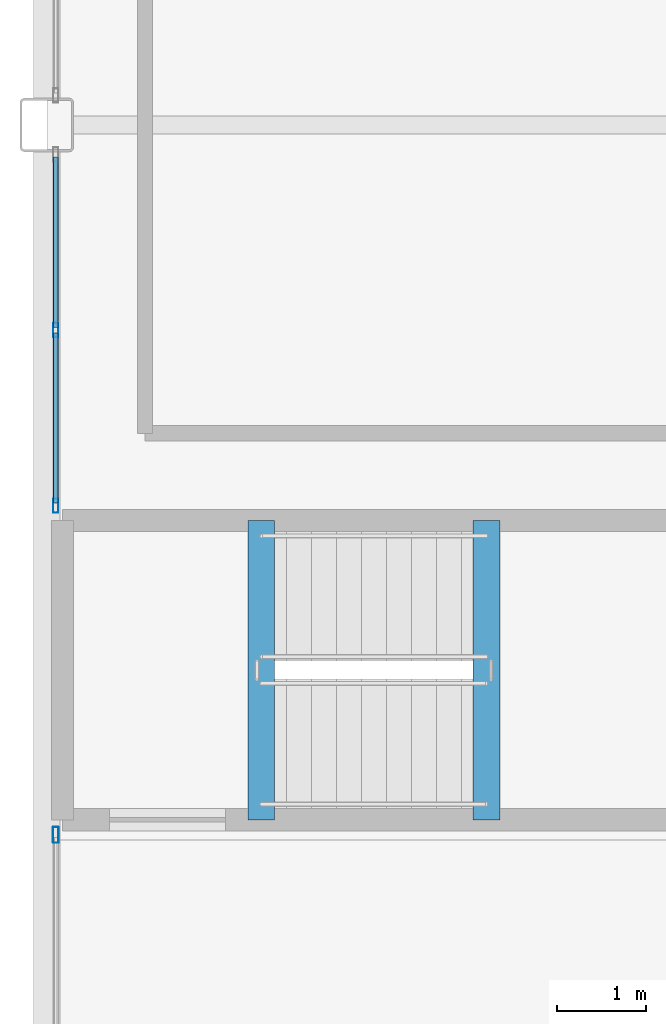
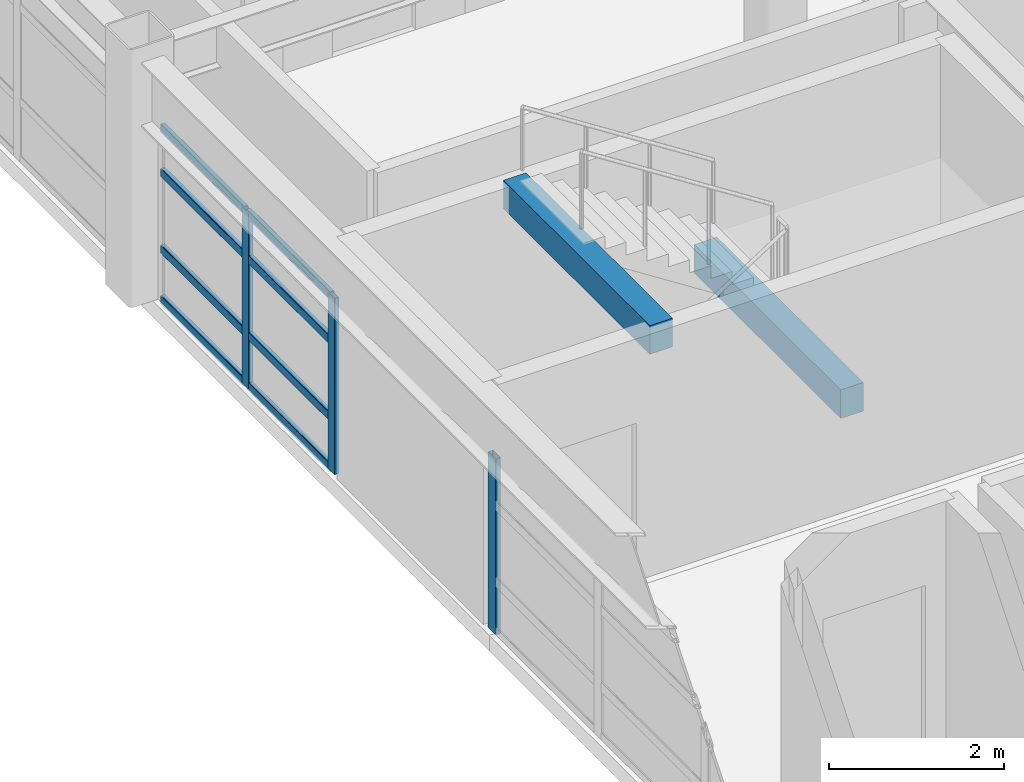
# One storey, part 14 of 36: 11 members, 2 beams, 2 elements without a shape of their own.
"""IFC4 building model written with IfcOpenShell, lengths in metres."""

from ifc_helpers import new_model, si_unit, direction, frame, origin, origin_2d, place, context, subcontext, project, spatial, rectangle, hollow_rectangle, extrude, material, layer, layer_set, material_profile, profile_set, type_object, element, aggregate, save


model = new_model("IFC4")

# Units and contexts
model_context = context("Model", 3, precision=1e-05, world=origin(), true_north=direction((0.0, 1.0)))
body_context = subcontext(model_context, "Body", "Model", "MODEL_VIEW")
ifc_project = project(units=[si_unit("LENGTHUNIT", "METRE"), si_unit("AREAUNIT", "SQUARE_METRE"), si_unit("VOLUMEUNIT", "CUBIC_METRE"), si_unit("PLANEANGLEUNIT", "RADIAN"), si_unit("MASSUNIT", "GRAM", prefix="KILO")], contexts=[model_context])

# Site, building, storey
site_placement = place(None, origin())
site = spatial("IfcSite", under=ifc_project, at=site_placement, CompositionType="ELEMENT")
building_placement = place(site_placement, origin())
building = spatial("IfcBuilding", under=site, at=building_placement, Name="Kazehara Bluff Congress Hotel", CompositionType="ELEMENT")
storey_placement = place(building_placement, frame((0.0, 0.0, 31.800048828125)))
storey = spatial("IfcBuildingStorey", under=building, at=storey_placement, Name="L07", CompositionType="ELEMENT", Elevation=31.800048828125)

# Curtain wall, members
ifc_material_1 = material(Name="Anodised aluminium", Category="aluminium")
ifc_layer_1 = layer(ifc_material_1, 0.159912109375)
ifc_layer_set_1 = layer_set([ifc_layer_1], Name="Anodised aluminium")
curtain_wall_type_1 = type_object("IfcCurtainWallType", Name="TP-CW-178", PredefinedType="NOTDEFINED", material=ifc_layer_set_1)
curtain_wall_1_placement = place(storey_placement, origin())
curtain_wall_1 = element("IfcCurtainWall", 1, at=curtain_wall_1_placement, inside=storey, type_object=curtain_wall_type_1, Name="L07 curtain wall CW-178 CW-ENC-V5-L07-14380-5416", PredefinedType="NOTDEFINED")
ifc_material_2 = material(Name="Anodised aluminium", Category="aluminium")
ifc_material_profile_1 = material_profile(ifc_material_2, hollow_rectangle(XDim=0.06005859375, YDim=0.159912109375, WallThickness=0.00390625, InnerFilletRadius=0.00390625, OuterFilletRadius=0.008056640625, at=origin_2d()))
ifc_profile_set_1 = profile_set([ifc_material_profile_1], Name="Anodised aluminium")
member_type_1 = type_object("IfcMemberType", Name="TP-CWM-01", PredefinedType="MULLION", material=ifc_profile_set_1)
member_1_placement = place(storey_placement, frame((143.800048828125, 52.18994140625, 0.0), z_axis=(0.0, 0.0, 1.0), x_axis=(-1.0, 0.0, 0.0)))
member_1 = element("IfcMember", 2, at=member_1_placement, type_object=member_type_1, Name="CW-178 mullion 1", PredefinedType="MULLION", context=body_context, shape_type="SweptSolid", body=[
    extrude(hollow_rectangle(XDim=0.06005859375, YDim=0.159912109375, WallThickness=0.00390625, InnerFilletRadius=0.00390625, OuterFilletRadius=0.008056640625, at=origin_2d()), origin(), (0.0, 0.0, 1.0), 2.454833984375),
])
member_2_placement = place(storey_placement, frame((143.800048828125, 54.155029296875, 0.0), z_axis=(0.0, 0.0, 1.0), x_axis=(-1.0, 0.0, 0.0)))
member_2 = element("IfcMember", 3, at=member_2_placement, type_object=member_type_1, Name="CW-178 mullion 2", PredefinedType="MULLION", context=body_context, shape_type="SweptSolid", body=[
    extrude(hollow_rectangle(XDim=0.06005859375, YDim=0.159912109375, WallThickness=0.00390625, InnerFilletRadius=0.00390625, OuterFilletRadius=0.008056640625, at=origin_2d()), origin(), (0.0, 0.0, 1.0), 2.454833984375),
])

# Curtain wall, member
ifc_material_3 = material(Name="Anodised aluminium", Category="aluminium")
ifc_layer_2 = layer(ifc_material_3, 0.159912109375)
ifc_layer_set_2 = layer_set([ifc_layer_2], Name="Anodised aluminium")
curtain_wall_type_2 = type_object("IfcCurtainWallType", Name="TP-CW-177", PredefinedType="NOTDEFINED", material=ifc_layer_set_2)
curtain_wall_2_placement = place(storey_placement, origin())
curtain_wall_2 = element("IfcCurtainWall", 4, at=curtain_wall_2_placement, inside=storey, type_object=curtain_wall_type_2, Name="L07 curtain wall CW-177 CW-ENC-V5-L07-14380-4487", PredefinedType="NOTDEFINED")
ifc_material_4 = material(Name="Anodised aluminium", Category="aluminium")
ifc_material_profile_2 = material_profile(ifc_material_4, hollow_rectangle(XDim=0.06494140625, YDim=0.179931640625, WallThickness=0.00390625, InnerFilletRadius=0.00390625, OuterFilletRadius=0.008056640625, at=origin_2d()))
ifc_profile_set_2 = profile_set([ifc_material_profile_2], Name="Anodised aluminium")
member_type_2 = type_object("IfcMemberType", Name="TP-CWM-02", PredefinedType="MULLION", material=ifc_profile_set_2)
member_3_placement = place(storey_placement, frame((143.800048828125, 48.507568359375, 0.0), z_axis=(0.0, 0.0, 1.0), x_axis=(-1.0, 0.0, 0.0)))
member_3 = element("IfcMember", 5, at=member_3_placement, type_object=member_type_2, Name="CW-177 mullion 4", PredefinedType="MULLION", context=body_context, shape_type="SweptSolid", body=[
    extrude(hollow_rectangle(XDim=0.06494140625, YDim=0.179931640625, WallThickness=0.00390625, InnerFilletRadius=0.00390625, OuterFilletRadius=0.008056640625, at=origin_2d()), origin(), (0.0, 0.0, 1.0), 2.454833984375),
])
aggregate(curtain_wall_2, [member_3])

# Member
ifc_material_5 = material(Name="Anodised aluminium", Category="aluminium")
ifc_material_profile_3 = material_profile(ifc_material_5, hollow_rectangle(XDim=0.06005859375, YDim=0.1201171875, WallThickness=0.00390625, InnerFilletRadius=0.00390625, OuterFilletRadius=0.008056640625, at=origin_2d()))
ifc_profile_set_3 = profile_set([ifc_material_profile_3], Name="Anodised aluminium")
member_type_3 = type_object("IfcMemberType", Name="TP-CWT-01", PredefinedType="USERDEFINED", material=ifc_profile_set_3)
member_4_placement = place(storey_placement, frame((143.800048828125, 52.219970703125, 0.030029296875), z_axis=(0.0, 1.0, 0.0), x_axis=(-1.0, 0.0, 0.0)))
member_4 = element("IfcMember", 6, at=member_4_placement, type_object=member_type_3, Name="CW-178 transom 1.1", ObjectType="TRANSOM", PredefinedType="USERDEFINED", context=body_context, shape_type="SweptSolid", body=[
    extrude(hollow_rectangle(XDim=0.06005859375, YDim=0.1201171875, WallThickness=0.00390625, InnerFilletRadius=0.00390625, OuterFilletRadius=0.008056640625, at=origin_2d()), origin(), (0.0, 0.0, 1.0), 1.905029296875),
])

member_5_placement = place(storey_placement, frame((143.800048828125, 52.219970703125, 0.73486328125), z_axis=(0.0, 1.0, 0.0), x_axis=(-1.0, 0.0, 0.0)))
member_5 = element("IfcMember", 7, at=member_5_placement, type_object=member_type_3, Name="CW-178 transom 1.2", ObjectType="TRANSOM", PredefinedType="USERDEFINED", context=body_context, shape_type="SweptSolid", body=[
    extrude(hollow_rectangle(XDim=0.06005859375, YDim=0.1201171875, WallThickness=0.00390625, InnerFilletRadius=0.00390625, OuterFilletRadius=0.008056640625, at=origin_2d()), origin(), (0.0, 0.0, 1.0), 1.905029296875),
])

member_6_placement = place(storey_placement, frame((143.800048828125, 52.219970703125, 1.804931640625), z_axis=(0.0, 1.0, 0.0), x_axis=(-1.0, 0.0, 0.0)))
member_6 = element("IfcMember", 8, at=member_6_placement, type_object=member_type_3, Name="CW-178 transom 1.3", ObjectType="TRANSOM", PredefinedType="USERDEFINED", context=body_context, shape_type="SweptSolid", body=[
    extrude(hollow_rectangle(XDim=0.06005859375, YDim=0.1201171875, WallThickness=0.00390625, InnerFilletRadius=0.00390625, OuterFilletRadius=0.008056640625, at=origin_2d()), origin(), (0.0, 0.0, 1.0), 1.905029296875),
])

member_7_placement = place(storey_placement, frame((143.800048828125, 52.219970703125, 2.425048828125), z_axis=(0.0, 1.0, 0.0), x_axis=(-1.0, 0.0, 0.0)))
member_7 = element("IfcMember", 9, at=member_7_placement, type_object=member_type_3, Name="CW-178 transom 1.4", ObjectType="TRANSOM", PredefinedType="USERDEFINED", context=body_context, shape_type="SweptSolid", body=[
    extrude(hollow_rectangle(XDim=0.06005859375, YDim=0.1201171875, WallThickness=0.00390625, InnerFilletRadius=0.00390625, OuterFilletRadius=0.008056640625, at=origin_2d()), origin(), (0.0, 0.0, 1.0), 1.905029296875),
])

member_8_placement = place(storey_placement, frame((143.800048828125, 54.18505859375, 0.030029296875), z_axis=(0.0, 1.0, 0.0), x_axis=(-1.0, 0.0, 0.0)))
member_8 = element("IfcMember", 10, at=member_8_placement, type_object=member_type_3, Name="CW-178 transom 2.1", ObjectType="TRANSOM", PredefinedType="USERDEFINED", context=body_context, shape_type="SweptSolid", body=[
    extrude(hollow_rectangle(XDim=0.06005859375, YDim=0.1201171875, WallThickness=0.00390625, InnerFilletRadius=0.00390625, OuterFilletRadius=0.008056640625, at=origin_2d()), origin(), (0.0, 0.0, 1.0), 1.905029296875),
])

member_9_placement = place(storey_placement, frame((143.800048828125, 54.18505859375, 0.73486328125), z_axis=(0.0, 1.0, 0.0), x_axis=(-1.0, 0.0, 0.0)))
member_9 = element("IfcMember", 11, at=member_9_placement, type_object=member_type_3, Name="CW-178 transom 2.2", ObjectType="TRANSOM", PredefinedType="USERDEFINED", context=body_context, shape_type="SweptSolid", body=[
    extrude(hollow_rectangle(XDim=0.06005859375, YDim=0.1201171875, WallThickness=0.00390625, InnerFilletRadius=0.00390625, OuterFilletRadius=0.008056640625, at=origin_2d()), origin(), (0.0, 0.0, 1.0), 1.905029296875),
])

member_10_placement = place(storey_placement, frame((143.800048828125, 54.18505859375, 1.804931640625), z_axis=(0.0, 1.0, 0.0), x_axis=(-1.0, 0.0, 0.0)))
member_10 = element("IfcMember", 12, at=member_10_placement, type_object=member_type_3, Name="CW-178 transom 2.3", ObjectType="TRANSOM", PredefinedType="USERDEFINED", context=body_context, shape_type="SweptSolid", body=[
    extrude(hollow_rectangle(XDim=0.06005859375, YDim=0.1201171875, WallThickness=0.00390625, InnerFilletRadius=0.00390625, OuterFilletRadius=0.008056640625, at=origin_2d()), origin(), (0.0, 0.0, 1.0), 1.905029296875),
])

member_11_placement = place(storey_placement, frame((143.800048828125, 54.18505859375, 2.425048828125), z_axis=(0.0, 1.0, 0.0), x_axis=(-1.0, 0.0, 0.0)))
member_11 = element("IfcMember", 13, at=member_11_placement, type_object=member_type_3, Name="CW-178 transom 2.4", ObjectType="TRANSOM", PredefinedType="USERDEFINED", context=body_context, shape_type="SweptSolid", body=[
    extrude(hollow_rectangle(XDim=0.06005859375, YDim=0.1201171875, WallThickness=0.00390625, InnerFilletRadius=0.00390625, OuterFilletRadius=0.008056640625, at=origin_2d()), origin(), (0.0, 0.0, 1.0), 1.905029296875),
])

aggregate(curtain_wall_1, [member_1, member_2, member_4, member_5, member_6, member_7, member_8, member_9, member_10, member_11])

# Beams
ifc_material_6 = material(Name="Concrete C40/50", Category="concrete")
ifc_material_profile_4 = material_profile(ifc_material_6, rectangle(XDim=0.300048828125, YDim=0.39990234375, at=origin_2d()))
ifc_profile_set_4 = profile_set([ifc_material_profile_4], Name="Concrete C40/50")
beam_type = type_object("IfcBeamType", Name="TP-LN-02", PredefinedType="LINTEL", material=ifc_profile_set_4)
for number, where, z_axis, x_axis, name in (
    (14, (148.6201171875, 48.675048828125, 1.419921875), (0.0, 1.0, 0.0), (-1.0, 0.0, 0.0), "L07 ST-11 half-landing support beam 1"),
    (15, (146.10009765625, 48.675048828125, 3.199951171875), (0.0, 1.0, 0.0), (-1.0, 0.0, 0.0), "L08 ST-11 stairwell trimmer beam"),
):
    element("IfcBeam", number, at=place(storey_placement, frame(where, z_axis=z_axis, x_axis=x_axis)), inside=storey, type_object=beam_type, Name=name, PredefinedType="LINTEL", context=body_context, shape_type="SweptSolid", body=[
        extrude(rectangle(XDim=0.300048828125, YDim=0.39990234375, at=origin_2d()), origin(), (0.0, 0.0, 1.0), 3.349853515625),
    ])

save(model, "model.ifc")
